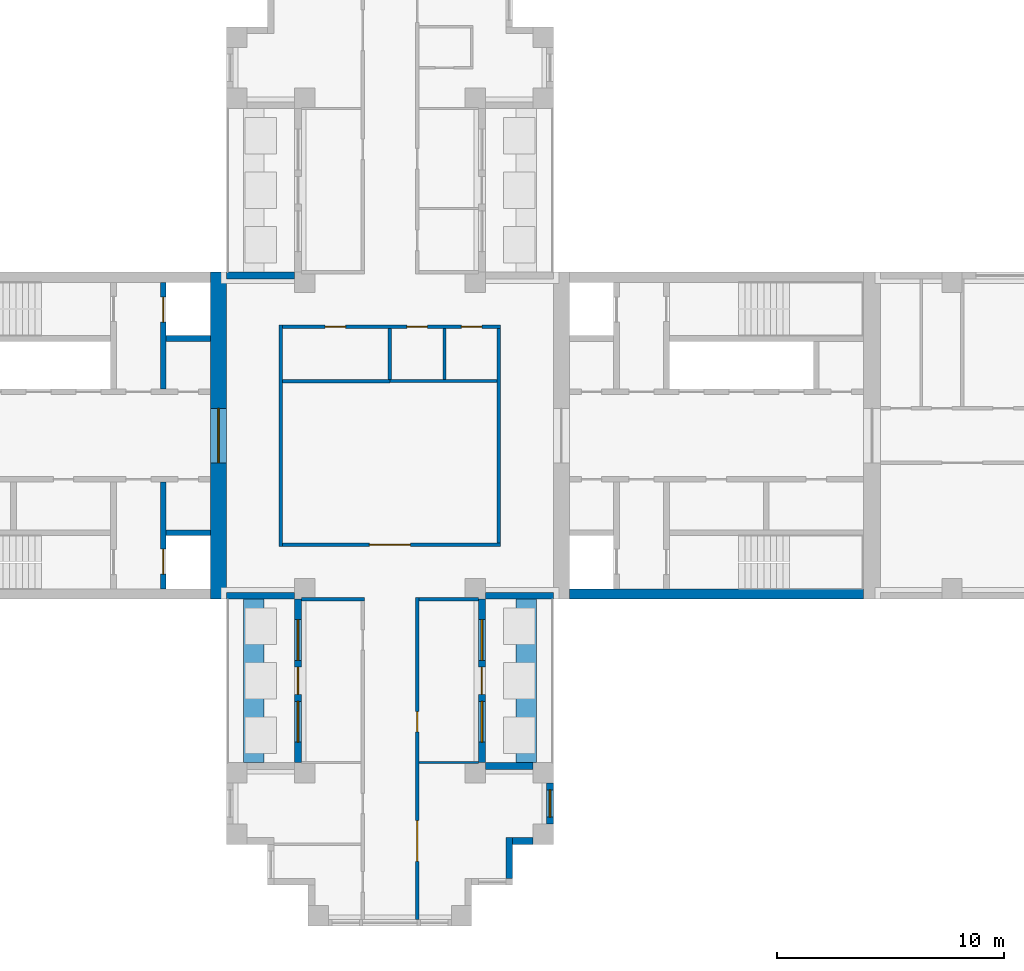
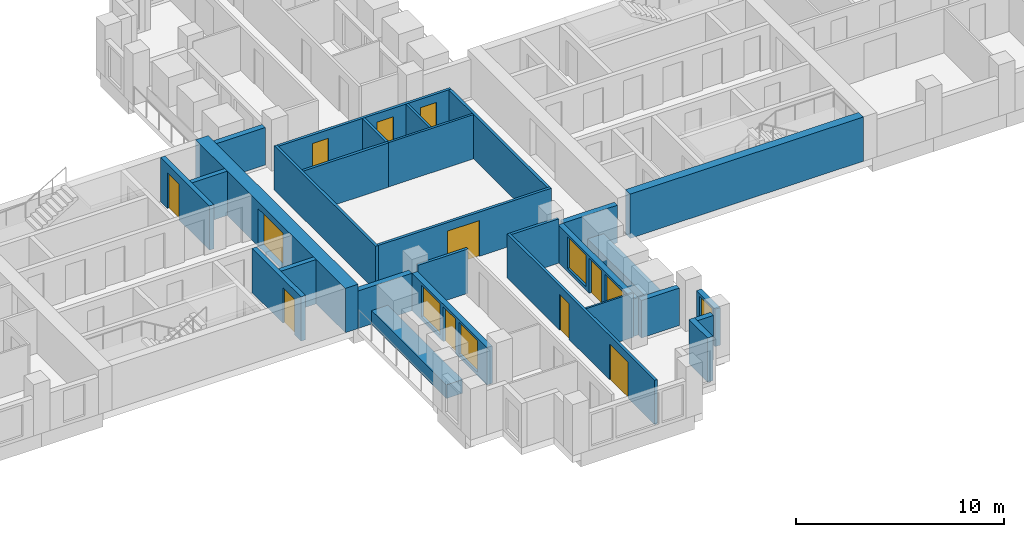
# One storey, part 5 of 11: 29 walls, 11 doors, 5 windows, 16 openings.
"""IFC4 building model written with IfcOpenShell, lengths in metres."""

import ifcopenshell
import ifcopenshell.guid

model = None  # the IFC model being written
_history = None  # IfcOwnerHistory: only IFC2X3 demands one
_inside = {}  # id of a spatial element -> (the spatial element, [elements in it])
_under = {}  # id of a project, library or spatial element -> (it, [spatial elements below it])
_declared = {}  # id of a project -> (the project, [libraries it declares])
_typed = {}  # id of a type object -> (the type object, [elements of that type])
_made_of = {}  # id of a material, layer set ... -> (it, [elements and type objects made of it])


def new_model(schema):
    """Start an empty IFC model of exactly this schema.

    Asked for "IFC4X3", IfcOpenShell would pick the latest addendum, in which some entities
    have other attributes; the version numbers below select the first issue.
    IFC2X3 requires an IfcOwnerHistory on every rooted entity: one is made here for all.
    """
    global model, _history
    if schema == "IFC4X3":
        model = ifcopenshell.file(schema_version=(4, 3, 0, 0))
    else:
        model = ifcopenshell.file(schema=schema)
    _inside.clear()
    _under.clear()
    _declared.clear()
    _typed.clear()
    _made_of.clear()
    _history = None
    if model.schema == "IFC2X3":
        org = make("IfcOrganization", Name="unknown")
        user = make(
            "IfcPersonAndOrganization",
            ThePerson=make("IfcPerson", FamilyName="unknown"),
            TheOrganization=org,
        )
        app = make(
            "IfcApplication",
            ApplicationDeveloper=org,
            Version="unknown",
            ApplicationFullName="unknown",
            ApplicationIdentifier="unknown",
        )
        _history = make(
            "IfcOwnerHistory",
            OwningUser=user,
            OwningApplication=app,
            ChangeAction="ADDED",
            CreationDate=0,
        )
    return model


def make(cls, **values):
    """One entity of the class cls with the attributes given. An attribute that is None is left unset."""
    return model.create_entity(
        cls, **{name: value for name, value in values.items() if value is not None}
    )


def rooted(cls, **values):
    """An entity with a GlobalId (a new one), such as an element, a storey or a relation."""
    return make(cls, GlobalId=ifcopenshell.guid.new(), OwnerHistory=_history, **values)


def si_unit(unit_type, name, prefix=None):
    """IfcSIUnit, for example si_unit("LENGTHUNIT", "METRE", prefix="MILLI")."""
    return make("IfcSIUnit", UnitType=unit_type, Prefix=prefix, Name=name)


def assignment(units):
    """IfcUnitAssignment: the units of a project."""
    return None if units is None else make("IfcUnitAssignment", Units=units)


def point(xyz):
    """IfcCartesianPoint."""
    return None if xyz is None else make("IfcCartesianPoint", Coordinates=xyz)


def direction(xyz):
    """IfcDirection."""
    return None if xyz is None else make("IfcDirection", DirectionRatios=xyz)


def frame(location, z_axis=None, x_axis=None):
    """IfcAxis2Placement3D, a coordinate frame: its origin and axes. An axis left out is left unset."""
    return make(
        "IfcAxis2Placement3D",
        Location=point(location),
        Axis=direction(z_axis),
        RefDirection=direction(x_axis),
    )


def frame_2d(location, x_axis=None):
    """IfcAxis2Placement2D, a coordinate frame in the plane: its origin and x axis."""
    return make(
        "IfcAxis2Placement2D", Location=point(location), RefDirection=direction(x_axis)
    )


def origin():
    """The frame at (0, 0, 0) with its axes left unset."""
    return frame((0.0, 0.0, 0.0))


def place(relative_to, where):
    """IfcLocalPlacement: puts the frame where relative to a parent placement (None: the world)."""
    return make(
        "IfcLocalPlacement", PlacementRelTo=relative_to, RelativePlacement=where
    )


def context(
    kind, dimensions, precision=None, world=None, true_north=None, identifier=None
):
    """IfcGeometricRepresentationContext, for example the 3D "Model" context."""
    return make(
        "IfcGeometricRepresentationContext",
        ContextIdentifier=identifier,
        ContextType=kind,
        CoordinateSpaceDimension=dimensions,
        Precision=precision,
        WorldCoordinateSystem=world,
        TrueNorth=true_north,
    )


def subcontext(parent, identifier, kind, view, scale=None):
    """IfcGeometricRepresentationSubContext, for example "Body" below "Model"."""
    return make(
        "IfcGeometricRepresentationSubContext",
        ContextIdentifier=identifier,
        ContextType=kind,
        ParentContext=parent,
        TargetScale=scale,
        TargetView=view,
    )


def project(units=None, contexts=None):
    """IfcProject with its units and contexts."""
    return rooted(
        "IfcProject",
        Name="project",
        RepresentationContexts=contexts,
        UnitsInContext=assignment(units),
    )


def spatial(cls, under=None, at=None, **own):
    """A site, building, storey or space (cls), placed at a placement, below another one or the project."""
    s = rooted(cls, ObjectPlacement=at, **own)
    if under is not None:
        _under.setdefault(under.id(), (under, []))[1].append(s)
    return s


def profile(cls, at=None, kind="AREA", **sizes):
    """A parametric profile (cls). Its sizes go by their IFC names, for example OverallWidth=200.0."""
    return make(cls, ProfileType=kind, Position=at, **sizes)


def rectangle(**sizes):
    """IfcRectangleProfileDef."""
    return profile("IfcRectangleProfileDef", **sizes)


def extrude(swept, where, along, depth):
    """IfcExtrudedAreaSolid: the profile swept, set in the frame where, extruded along a direction by depth."""
    return make(
        "IfcExtrudedAreaSolid",
        SweptArea=swept,
        Position=where,
        ExtrudedDirection=direction(along),
        Depth=depth,
    )


def shape(context_of_items, identifier, shape_type, items):
    """IfcShapeRepresentation: the items that make up one representation, for example the "Body"."""
    return make(
        "IfcShapeRepresentation",
        ContextOfItems=context_of_items,
        RepresentationIdentifier=identifier,
        RepresentationType=shape_type,
        Items=items,
    )


def material(Name=None, Category=None):
    """IfcMaterial."""
    return make("IfcMaterial", Name=Name, Category=Category)


def layer(
    of_material, thickness, ventilated=None, Name=None, Category=None, Priority=None
):
    """IfcMaterialLayer: one layer of a wall or slab, of a material (None: an air gap)."""
    return make(
        "IfcMaterialLayer",
        Material=of_material,
        LayerThickness=thickness,
        IsVentilated=ventilated,
        Name=Name,
        Category=Category,
        Priority=Priority,
    )


def layer_set(layers, Name=None):
    """IfcMaterialLayerSet."""
    return make("IfcMaterialLayerSet", MaterialLayers=layers, LayerSetName=Name)


def made_of(thing, what):
    """Note that an element or type object is made of a material, layer set ...; save() writes the relation."""
    if what is not None:
        _made_of.setdefault(what.id(), (what, []))[1].append(thing)
    return thing


def type_object(cls, material=None, **own):
    """A type object (cls), such as IfcWallType, which elements share."""
    return made_of(rooted(cls, **own), material)


def element(
    cls,
    number,
    at=None,
    inside=None,
    cuts=None,
    type_object=None,
    material=None,
    context=None,
    identifier="Body",
    shape_type=None,
    held_by="IfcProductDefinitionShape",
    body=None,
    shapes=None,
    **own,
):
    """One element of the class cls, such as IfcWall. Its Tag is "e" and its number.

    at: its placement. inside: the storey or other place that contains it. cuts: it is an
    opening in that element (IfcRelVoidsElement). A single representation is given by context,
    identifier, shape_type and body (its items); several are given by shapes. held_by: the class
    of the entity that holds the representations. save() writes the other relations.
    """
    e = rooted(cls, Tag="e%d" % number, ObjectPlacement=at, **own)
    if body is not None:
        shapes = [shape(context, identifier, shape_type, body)]
    if shapes is not None:
        e.Representation = make(held_by, Representations=shapes)
    if inside is not None:
        _inside.setdefault(inside.id(), (inside, []))[1].append(e)
    if cuts is not None:
        rooted(
            "IfcRelVoidsElement", RelatingBuildingElement=cuts, RelatedOpeningElement=e
        )
    if type_object is not None:
        _typed.setdefault(type_object.id(), (type_object, []))[1].append(e)
    return made_of(e, material)


def fill(opening, filler):
    """IfcRelFillsElement: the door or window that sits in an opening."""
    return rooted(
        "IfcRelFillsElement",
        RelatingOpeningElement=opening,
        RelatedBuildingElement=filler,
    )


def aggregate(whole, parts):
    """IfcRelAggregates: a whole, such as a stair, and the parts it consists of."""
    return rooted("IfcRelAggregates", RelatingObject=whole, RelatedObjects=parts)


def save(model, path):
    """Write the relations noted so far, then the file.

    IfcRelAggregates (storeys below a building ...), IfcRelContainedInSpatialStructure (elements
    in a storey), IfcRelDefinesByType, IfcRelAssociatesMaterial and IfcRelDeclares: one each for
    every whole, place, type object, material and project.
    """
    for whole, parts in _under.values():
        aggregate(whole, parts)
    for where, things in _inside.values():
        rooted(
            "IfcRelContainedInSpatialStructure",
            RelatedElements=things,
            RelatingStructure=where,
        )
    for kind, things in _typed.values():
        rooted("IfcRelDefinesByType", RelatedObjects=things, RelatingType=kind)
    for what, things in _made_of.values():
        rooted("IfcRelAssociatesMaterial", RelatedObjects=things, RelatingMaterial=what)
    for by, libraries in _declared.values():
        rooted("IfcRelDeclares", RelatingContext=by, RelatedDefinitions=libraries)
    model.write(path)


model = new_model("IFC4")

# Units and contexts
model_context = context("Model", 3, precision=1e-05, world=origin(), true_north=direction((0.0, 1.0)))
body_context = subcontext(model_context, "Body", "Model", "MODEL_VIEW")
ifc_project = project(units=[si_unit("LENGTHUNIT", "METRE"), si_unit("AREAUNIT", "SQUARE_METRE"), si_unit("VOLUMEUNIT", "CUBIC_METRE"), si_unit("PLANEANGLEUNIT", "RADIAN"), si_unit("MASSUNIT", "GRAM", prefix="KILO")], contexts=[model_context])

# Site, building, storey
site_placement = place(None, origin())
site = spatial("IfcSite", under=ifc_project, at=site_placement, CompositionType="ELEMENT")
building_placement = place(site_placement, origin())
building = spatial("IfcBuilding", under=site, at=building_placement, Name="Fustian Cross Tower", CompositionType="ELEMENT")
storey_placement = place(building_placement, frame((0.0, 0.0, 144.300048828125)))
storey = spatial("IfcBuildingStorey", under=building, at=storey_placement, Name="L45", CompositionType="ELEMENT", Elevation=144.300048828125)

# Wall
ifc_material_1 = material(Name="Plasterboard on steel stud", Category="steel")
ifc_layer_1 = layer(ifc_material_1, 0.14990234375)
ifc_layer_set_1 = layer_set([ifc_layer_1], Name="Plasterboard on steel stud")
wall_type_1 = type_object("IfcWallType", Name="COMPARTMENT WALL 150 EI 60", PredefinedType="PARTITIONING", material=ifc_layer_set_1)
wall_1_placement = place(storey_placement, frame((-4.800048828125, -4.875, 0.0), z_axis=(0.0, 0.0, 1.0), x_axis=(0.0, 1.0, 0.0)))
element("IfcWall", 1, at=wall_1_placement, inside=storey, type_object=wall_type_1, Name="Partition 12", PredefinedType="PARTITIONING", context=body_context, shape_type="SweptSolid", body=[
    extrude(rectangle(XDim=9.75, YDim=0.14990234375, at=frame_2d((4.875, 0.0))), origin(), (0.0, 0.0, 1.0), 2.599853515625),
])

# Wall, opening, door
wall_2_placement = place(storey_placement, frame((-4.72509765625, -4.800048828125, 0.0), z_axis=(0.0, 0.0, 1.0), x_axis=(1.0, 0.0, 0.0)))
wall_2 = element("IfcWall", 2, at=wall_2_placement, inside=storey, type_object=wall_type_1, Name="Partition 13", PredefinedType="PARTITIONING", context=body_context, shape_type="SweptSolid", body=[
    extrude(rectangle(XDim=9.60009765625, YDim=0.14990234375, at=frame_2d((4.800048828125, 0.0))), origin(), (0.0, 0.0, 1.0), 2.599853515625),
])
opening_1_placement = place(wall_2_placement, frame((3.824951171875, 0.0, 0.0)))
opening_1 = element("IfcOpeningElement", 3, at=opening_1_placement, cuts=wall_2, Name="Opening D20004", PredefinedType="OPENING", context=body_context, shape_type="SweptSolid", body=[
    extrude(rectangle(XDim=1.800048828125, YDim=2.10009765625, at=frame_2d((0.89990234375, 1.050048828125))), frame((0.0, 0.0849609375, 0.0), z_axis=(0.0, -1.0, 0.0), x_axis=(1.0, 0.0, 0.0)), (0.0, 0.0, 1.0), 0.169921875),
])
ifc_material_2 = material(Name="Timber fire door set", Category="wood")
door_type_1 = type_object("IfcDoorType", Name="FIRE DOUBLE DOOR 1800 FD30S", OperationType="DOUBLE_DOOR_DOUBLE_SWING", PredefinedType="DOOR", material=ifc_material_2)
door_1_placement = place(opening_1_placement, frame((1.800048828125, 0.0, 0.0), z_axis=(0.0, 0.0, 1.0), x_axis=(-1.0, 0.0, 0.0)))
door_1 = element("IfcDoor", 4, at=door_1_placement, inside=storey, type_object=door_type_1, Name="Door D20004", OperationType="DOUBLE_DOOR_DOUBLE_SWING", OverallHeight=2.10009765625, OverallWidth=1.800048828125, PredefinedType="DOOR", context=body_context, shape_type="SweptSolid", body=[
    extrude(rectangle(XDim=1.800048828125, YDim=2.10009765625, at=frame_2d((0.89990234375, 1.050048828125))), frame((0.0, 0.02490234375, 0.0), z_axis=(0.0, -1.0, 0.0), x_axis=(1.0, 0.0, 0.0)), (0.0, 0.0, 1.0), 0.050048828125),
])
fill(opening_1, door_1)

# Wall
wall_3_placement = place(storey_placement, frame((-4.72509765625, 2.39990234375, 0.0), z_axis=(0.0, 0.0, 1.0), x_axis=(1.0, 0.0, 0.0)))
element("IfcWall", 5, at=wall_3_placement, inside=storey, type_object=wall_type_1, Name="Partition 14", PredefinedType="PARTITIONING", context=body_context, shape_type="SweptSolid", body=[
    extrude(rectangle(XDim=4.72509765625, YDim=0.14990234375, at=frame_2d((2.362548828125, 0.0))), origin(), (0.0, 0.0, 1.0), 2.599853515625),
])

# Wall, openings, doors
wall_4_placement = place(storey_placement, frame((-4.72509765625, 4.800048828125, 0.0), z_axis=(0.0, 0.0, 1.0), x_axis=(1.0, 0.0, 0.0)))
wall_4 = element("IfcWall", 6, at=wall_4_placement, inside=storey, type_object=wall_type_1, Name="Partition 15", PredefinedType="PARTITIONING", context=body_context, shape_type="SweptSolid", body=[
    extrude(rectangle(XDim=9.60009765625, YDim=0.14990234375, at=frame_2d((4.800048828125, 0.0))), origin(), (0.0, 0.0, 1.0), 2.599853515625),
])
opening_2_placement = place(wall_4_placement, frame((7.875, 0.0, 0.0)))
opening_2 = element("IfcOpeningElement", 7, at=opening_2_placement, cuts=wall_4, Name="Opening D20001", PredefinedType="OPENING", context=body_context, shape_type="SweptSolid", body=[
    extrude(rectangle(XDim=0.89990234375, YDim=2.10009765625, at=frame_2d((0.449951171875, 1.050048828125))), frame((0.0, 0.0849609375, 0.0), z_axis=(0.0, -1.0, 0.0), x_axis=(1.0, 0.0, 0.0)), (0.0, 0.0, 1.0), 0.169921875),
])
opening_3_placement = place(wall_4_placement, frame((5.47509765625, 0.0, 0.0)))
opening_3 = element("IfcOpeningElement", 8, at=opening_3_placement, cuts=wall_4, Name="Opening D20002", PredefinedType="OPENING", context=body_context, shape_type="SweptSolid", body=[
    extrude(rectangle(XDim=0.89990234375, YDim=2.10009765625, at=frame_2d((0.449951171875, 1.050048828125))), frame((0.0, 0.0849609375, 0.0), z_axis=(0.0, -1.0, 0.0), x_axis=(1.0, 0.0, 0.0)), (0.0, 0.0, 1.0), 0.169921875),
])
opening_4_placement = place(wall_4_placement, frame((1.875, 0.0, 0.0)))
opening_4 = element("IfcOpeningElement", 9, at=opening_4_placement, cuts=wall_4, Name="Opening D20003", PredefinedType="OPENING", context=body_context, shape_type="SweptSolid", body=[
    extrude(rectangle(XDim=0.89990234375, YDim=2.10009765625, at=frame_2d((0.449951171875, 1.050048828125))), frame((0.0, 0.0849609375, 0.0), z_axis=(0.0, -1.0, 0.0), x_axis=(1.0, 0.0, 0.0)), (0.0, 0.0, 1.0), 0.169921875),
])
ifc_material_3 = material(Name="Timber fire door set", Category="wood")
door_type_2 = type_object("IfcDoorType", Name="FIRE SWING DOOR 900 FD30S", OperationType="SINGLE_SWING_LEFT", PredefinedType="DOOR", material=ifc_material_3)
door_2_placement = place(opening_2_placement, frame((0.89990234375, 0.0, 0.0), z_axis=(0.0, 0.0, 1.0), x_axis=(-1.0, 0.0, 0.0)))
door_2 = element("IfcDoor", 10, at=door_2_placement, inside=storey, type_object=door_type_2, Name="Door D20001", OperationType="SINGLE_SWING_RIGHT", OverallHeight=2.10009765625, OverallWidth=0.89990234375, PredefinedType="DOOR", context=body_context, shape_type="SweptSolid", body=[
    extrude(rectangle(XDim=0.89990234375, YDim=2.10009765625, at=frame_2d((0.449951171875, 1.050048828125))), frame((0.0, 0.02490234375, 0.0), z_axis=(0.0, -1.0, 0.0), x_axis=(1.0, 0.0, 0.0)), (0.0, 0.0, 1.0), 0.050048828125),
])
fill(opening_2, door_2)
door_3_placement = place(opening_3_placement, frame((0.89990234375, 0.0, 0.0), z_axis=(0.0, 0.0, 1.0), x_axis=(-1.0, 0.0, 0.0)))
door_3 = element("IfcDoor", 11, at=door_3_placement, inside=storey, type_object=door_type_2, Name="Door D20002", OperationType="SINGLE_SWING_RIGHT", OverallHeight=2.10009765625, OverallWidth=0.89990234375, PredefinedType="DOOR", context=body_context, shape_type="SweptSolid", body=[
    extrude(rectangle(XDim=0.89990234375, YDim=2.10009765625, at=frame_2d((0.449951171875, 1.050048828125))), frame((0.0, 0.02490234375, 0.0), z_axis=(0.0, -1.0, 0.0), x_axis=(1.0, 0.0, 0.0)), (0.0, 0.0, 1.0), 0.050048828125),
])
fill(opening_3, door_3)
door_4_placement = place(opening_4_placement, frame((0.89990234375, 0.0, 0.0), z_axis=(0.0, 0.0, 1.0), x_axis=(-1.0, 0.0, 0.0)))
door_4 = element("IfcDoor", 12, at=door_4_placement, inside=storey, type_object=door_type_2, Name="Door D20003", OperationType="SINGLE_SWING_RIGHT", OverallHeight=2.10009765625, OverallWidth=0.89990234375, PredefinedType="DOOR", context=body_context, shape_type="SweptSolid", body=[
    extrude(rectangle(XDim=0.89990234375, YDim=2.10009765625, at=frame_2d((0.449951171875, 1.050048828125))), frame((0.0, 0.02490234375, 0.0), z_axis=(0.0, -1.0, 0.0), x_axis=(1.0, 0.0, 0.0)), (0.0, 0.0, 1.0), 0.050048828125),
])
fill(opening_4, door_4)

# Walls
wall_5_placement = place(storey_placement, frame((-3.89990234375, -7.199951171875, 0.0), z_axis=(0.0, 0.0, 1.0), x_axis=(1.0, 0.0, 0.0)))
element("IfcWall", 13, at=wall_5_placement, inside=storey, type_object=wall_type_1, Name="Partition 17", PredefinedType="PARTITIONING", context=body_context, shape_type="SweptSolid", body=[
    extrude(rectangle(XDim=2.77490234375, YDim=0.14990234375, at=frame_2d((1.387451171875, 0.0))), origin(), (0.0, 0.0, 1.0), 2.599853515625),
])
wall_6_placement = place(storey_placement, frame((0.0, 2.47509765625, 0.0), z_axis=(0.0, 0.0, 1.0), x_axis=(0.0, 1.0, 0.0)))
element("IfcWall", 14, at=wall_6_placement, inside=storey, type_object=wall_type_1, Name="Partition 22", PredefinedType="PARTITIONING", context=body_context, shape_type="SweptSolid", body=[
    extrude(rectangle(XDim=2.25, YDim=0.14990234375, at=frame_2d((1.125, 0.0))), origin(), (0.0, 0.0, 1.0), 2.599853515625),
])

# Wall, openings, doors
wall_7_placement = place(storey_placement, frame((1.199951171875, -21.300048828125, 0.0), z_axis=(0.0, 0.0, 1.0), x_axis=(0.0, 1.0, 0.0)))
wall_7 = element("IfcWall", 15, at=wall_7_placement, inside=storey, type_object=wall_type_1, Name="Partition 24", PredefinedType="PARTITIONING", context=body_context, shape_type="SweptSolid", body=[
    extrude(rectangle(XDim=14.175048828125, YDim=0.14990234375, at=frame_2d((7.08740234375, 0.0))), origin(), (0.0, 0.0, 1.0), 2.599853515625),
])
opening_5_placement = place(wall_7_placement, frame((8.25, 0.0, 0.0)))
opening_5 = element("IfcOpeningElement", 16, at=opening_5_placement, cuts=wall_7, Name="Opening D20028", PredefinedType="OPENING", context=body_context, shape_type="SweptSolid", body=[
    extrude(rectangle(XDim=0.89990234375, YDim=2.10009765625, at=frame_2d((0.449951171875, 1.050048828125))), frame((0.0, 0.0849609375, 0.0), z_axis=(0.0, -1.0, 0.0), x_axis=(1.0, 0.0, 0.0)), (0.0, 0.0, 1.0), 0.169921875),
])
opening_6_placement = place(wall_7_placement, frame((2.550048828125, 0.0, 0.0)))
opening_6 = element("IfcOpeningElement", 17, at=opening_6_placement, cuts=wall_7, Name="Opening D20029", PredefinedType="OPENING", context=body_context, shape_type="SweptSolid", body=[
    extrude(rectangle(XDim=1.800048828125, YDim=2.10009765625, at=frame_2d((0.89990234375, 1.050048828125))), frame((0.0, 0.0849609375, 0.0), z_axis=(0.0, -1.0, 0.0), x_axis=(1.0, 0.0, 0.0)), (0.0, 0.0, 1.0), 0.169921875),
])
door_5_placement = place(opening_6_placement, origin())
door_5 = element("IfcDoor", 18, at=door_5_placement, inside=storey, type_object=door_type_1, Name="Door D20029", OperationType="DOUBLE_DOOR_DOUBLE_SWING", OverallHeight=2.10009765625, OverallWidth=1.800048828125, PredefinedType="DOOR", context=body_context, shape_type="SweptSolid", body=[
    extrude(rectangle(XDim=1.800048828125, YDim=2.10009765625, at=frame_2d((0.89990234375, 1.050048828125))), frame((0.0, 0.02490234375, 0.0), z_axis=(0.0, -1.0, 0.0), x_axis=(1.0, 0.0, 0.0)), (0.0, 0.0, 1.0), 0.050048828125),
])
fill(opening_6, door_5)
door_6_placement = place(opening_5_placement, frame((0.89990234375, 0.0, 0.0), z_axis=(0.0, 0.0, 1.0), x_axis=(-1.0, 0.0, 0.0)))
door_6 = element("IfcDoor", 19, at=door_6_placement, inside=storey, type_object=door_type_2, Name="Door D20028", OperationType="SINGLE_SWING_RIGHT", OverallHeight=2.10009765625, OverallWidth=0.89990234375, PredefinedType="DOOR", context=body_context, shape_type="SweptSolid", body=[
    extrude(rectangle(XDim=0.89990234375, YDim=2.10009765625, at=frame_2d((0.449951171875, 1.050048828125))), frame((0.0, 0.02490234375, 0.0), z_axis=(0.0, -1.0, 0.0), x_axis=(1.0, 0.0, 0.0)), (0.0, 0.0, 1.0), 0.050048828125),
])
fill(opening_5, door_6)

# Walls
wall_8_placement = place(storey_placement, frame((1.27490234375, -7.199951171875, 0.0), z_axis=(0.0, 0.0, 1.0), x_axis=(1.0, 0.0, 0.0)))
element("IfcWall", 20, at=wall_8_placement, inside=storey, type_object=wall_type_1, Name="Partition 26", PredefinedType="PARTITIONING", context=body_context, shape_type="SweptSolid", body=[
    extrude(rectangle(XDim=2.625, YDim=0.14990234375, at=frame_2d((1.3125, 0.0))), origin(), (0.0, 0.0, 1.0), 2.599853515625),
])
wall_9_placement = place(storey_placement, frame((4.800048828125, -4.72509765625, 0.0), z_axis=(0.0, 0.0, 1.0), x_axis=(0.0, 1.0, 0.0)))
element("IfcWall", 21, at=wall_9_placement, inside=storey, type_object=wall_type_1, Name="Partition 35", PredefinedType="PARTITIONING", context=body_context, shape_type="SweptSolid", body=[
    extrude(rectangle(XDim=9.4501953125, YDim=0.14990234375, at=frame_2d((4.72509765625, 0.0))), origin(), (0.0, 0.0, 1.0), 2.599853515625),
])

# Wall, opening, door
ifc_material_4 = material(Name="Concrete C60/75", Category="concrete")
ifc_layer_2 = layer(ifc_material_4, 0.699951171875)
ifc_layer_set_2 = layer_set([ifc_layer_2], Name="Concrete C60/75")
wall_type_2 = type_object("IfcWallType", Name="CORE END WALL 700 C60/75", PredefinedType="SHEAR", material=ifc_layer_set_2)
wall_10_placement = place(storey_placement, frame((-7.550048828125, -7.199951171875, 0.0), z_axis=(0.0, 0.0, 1.0), x_axis=(0.0, 1.0, 0.0)))
wall_10 = element("IfcWall", 22, at=wall_10_placement, inside=storey, type_object=wall_type_2, Name="Core end wall", PredefinedType="SHEAR", context=body_context, shape_type="SweptSolid", body=[
    extrude(rectangle(XDim=14.39990234375, YDim=0.699951171875, at=frame_2d((7.199951171875, 0.0))), origin(), (0.0, 0.0, 1.0), 2.599853515625),
])
opening_7_placement = place(wall_10_placement, frame((6.0, 0.0, 0.0)))
opening_7 = element("IfcOpeningElement", 23, at=opening_7_placement, cuts=wall_10, Name="Opening CD-18-28", PredefinedType="OPENING", context=body_context, shape_type="SweptSolid", body=[
    extrude(rectangle(XDim=2.39990234375, YDim=2.199951171875, at=frame_2d((1.199951171875, 1.10009765625))), frame((0.0, 0.35986328125, 0.0), z_axis=(0.0, -1.0, 0.0), x_axis=(1.0, 0.0, 0.0)), (0.0, 0.0, 1.0), 0.719970703125),
])
ifc_material_5 = material(Name="Steel", Category="steel")
door_type_3 = type_object("IfcDoorType", Name="FIRE DOOR FD30S DOUBLE 2400X2200", OperationType="DOUBLE_DOOR_DOUBLE_SWING", PredefinedType="DOOR", material=ifc_material_5)
door_7_placement = place(opening_7_placement, origin())
door_7 = element("IfcDoor", 24, at=door_7_placement, inside=storey, type_object=door_type_3, Name="Core door CD-18-28", OperationType="DOUBLE_DOOR_DOUBLE_SWING", OverallHeight=2.199951171875, OverallWidth=2.39990234375, PredefinedType="DOOR", context=body_context, shape_type="SweptSolid", body=[
    extrude(rectangle(XDim=2.39990234375, YDim=2.199951171875, at=frame_2d((1.199951171875, 1.10009765625))), frame((0.0, 0.02490234375, 0.0), z_axis=(0.0, -1.0, 0.0), x_axis=(1.0, 0.0, 0.0)), (0.0, 0.0, 1.0), 0.050048828125),
])
fill(opening_7, door_7)

# Walls
ifc_material_6 = material(Name="Concrete C60/75", Category="concrete")
ifc_layer_3 = layer(ifc_material_6, 0.449951171875)
ifc_layer_set_3 = layer_set([ifc_layer_3], Name="Concrete C60/75")
wall_type_3 = type_object("IfcWallType", Name="CORE FACADE WALL 450 C60/75", PredefinedType="SHEAR", material=ifc_layer_set_3)
wall_11_placement = place(storey_placement, frame((7.89990234375, -6.97509765625, 0.0), z_axis=(0.0, 0.0, 1.0), x_axis=(1.0, 0.0, 0.0)))
element("IfcWall", 25, at=wall_11_placement, inside=storey, type_object=wall_type_3, Name="Core facade wall", PredefinedType="SHEAR", context=body_context, shape_type="SweptSolid", body=[
    extrude(rectangle(XDim=12.9501953125, YDim=0.449951171875, at=frame_2d((6.47509765625, 0.0))), origin(), (0.0, 0.0, 1.0), 2.599853515625),
])
ifc_material_7 = material(Name="Concrete C50/60", Category="concrete")
ifc_layer_4 = layer(ifc_material_7, 0.25)
ifc_layer_set_4 = layer_set([ifc_layer_4], Name="Concrete C50/60")
wall_type_4 = type_object("IfcWallType", Name="CORE SHAFT WALL 250 C50/60", PredefinedType="SHEAR", material=ifc_layer_set_4)
wall_12_placement = place(storey_placement, frame((-7.89990234375, 4.27490234375, 0.0), z_axis=(0.0, 0.0, 1.0), x_axis=(-1.0, 0.0, 0.0)))
element("IfcWall", 26, at=wall_12_placement, inside=storey, type_object=wall_type_4, Name="Core shaft wall", PredefinedType="SHEAR", context=body_context, shape_type="SweptSolid", body=[
    extrude(rectangle(XDim=1.9501953125, YDim=0.25, at=frame_2d((0.97509765625, 0.0))), origin(), (0.0, 0.0, 1.0), 2.599853515625),
])

# Wall, opening, door
wall_13_placement = place(storey_placement, frame((-9.97509765625, 2.050048828125, 0.0), z_axis=(0.0, 0.0, 1.0), x_axis=(0.0, 1.0, 0.0)))
wall_13 = element("IfcWall", 27, at=wall_13_placement, inside=storey, type_object=wall_type_4, Name="Core shaft wall", PredefinedType="SHEAR", context=body_context, shape_type="SweptSolid", body=[
    extrude(rectangle(XDim=4.699951171875, YDim=0.25, at=frame_2d((2.35009765625, 0.0))), origin(), (0.0, 0.0, 1.0), 2.599853515625),
])
opening_8_placement = place(wall_13_placement, frame((2.949951171875, 0.0, 0.0)))
opening_8 = element("IfcOpeningElement", 28, at=opening_8_placement, cuts=wall_13, Name="Opening LD", PredefinedType="OPENING", context=body_context, shape_type="SweptSolid", body=[
    extrude(rectangle(XDim=1.10009765625, YDim=2.10009765625, at=frame_2d((0.550048828125, 1.050048828125))), frame((0.0, 0.135009765625, 0.0), z_axis=(0.0, -1.0, 0.0), x_axis=(1.0, 0.0, 0.0)), (0.0, 0.0, 1.0), 0.27001953125),
])
ifc_material_8 = material(Name="Stainless steel", Category="steel")
door_type_4 = type_object("IfcDoorType", Name="LIFT LANDING DOOR 1100X2100", OperationType="SLIDING_TO_LEFT", PredefinedType="DOOR", material=ifc_material_8)
door_8_placement = place(opening_8_placement, origin())
door_8 = element("IfcDoor", 29, at=door_8_placement, inside=storey, type_object=door_type_4, Name="Landing door FL1W", OperationType="SLIDING_TO_LEFT", OverallHeight=2.10009765625, OverallWidth=1.10009765625, PredefinedType="DOOR", context=body_context, shape_type="SweptSolid", body=[
    extrude(rectangle(XDim=1.10009765625, YDim=2.10009765625, at=frame_2d((0.550048828125, 1.050048828125))), frame((0.0, 0.02490234375, 0.0), z_axis=(0.0, -1.0, 0.0), x_axis=(1.0, 0.0, 0.0)), (0.0, 0.0, 1.0), 0.050048828125),
])
fill(opening_8, door_8)

# Wall
wall_14_placement = place(storey_placement, frame((-7.89990234375, -4.27490234375, 0.0), z_axis=(0.0, 0.0, 1.0), x_axis=(-1.0, 0.0, 0.0)))
element("IfcWall", 30, at=wall_14_placement, inside=storey, type_object=wall_type_4, Name="Core shaft wall", PredefinedType="SHEAR", context=body_context, shape_type="SweptSolid", body=[
    extrude(rectangle(XDim=1.9501953125, YDim=0.25, at=frame_2d((0.97509765625, 0.0))), origin(), (0.0, 0.0, 1.0), 2.599853515625),
])

# Wall, opening, door
wall_15_placement = place(storey_placement, frame((-9.97509765625, -2.050048828125, 0.0), z_axis=(0.0, 0.0, 1.0), x_axis=(0.0, -1.0, 0.0)))
wall_15 = element("IfcWall", 31, at=wall_15_placement, inside=storey, type_object=wall_type_4, Name="Core shaft wall", PredefinedType="SHEAR", context=body_context, shape_type="SweptSolid", body=[
    extrude(rectangle(XDim=4.699951171875, YDim=0.25, at=frame_2d((2.35009765625, 0.0))), origin(), (0.0, 0.0, 1.0), 2.599853515625),
])
opening_9_placement = place(wall_15_placement, frame((2.949951171875, 0.0, 0.0)))
opening_9 = element("IfcOpeningElement", 32, at=opening_9_placement, cuts=wall_15, Name="Opening LD", PredefinedType="OPENING", context=body_context, shape_type="SweptSolid", body=[
    extrude(rectangle(XDim=1.10009765625, YDim=2.10009765625, at=frame_2d((0.550048828125, 1.050048828125))), frame((0.0, 0.135009765625, 0.0), z_axis=(0.0, -1.0, 0.0), x_axis=(1.0, 0.0, 0.0)), (0.0, 0.0, 1.0), 0.27001953125),
])
door_9_placement = place(opening_9_placement, origin())
door_9 = element("IfcDoor", 33, at=door_9_placement, inside=storey, type_object=door_type_4, Name="Landing door SV1W", OperationType="SLIDING_TO_LEFT", OverallHeight=2.10009765625, OverallWidth=1.10009765625, PredefinedType="DOOR", context=body_context, shape_type="SweptSolid", body=[
    extrude(rectangle(XDim=1.10009765625, YDim=2.10009765625, at=frame_2d((0.550048828125, 1.050048828125))), frame((0.0, 0.02490234375, 0.0), z_axis=(0.0, -1.0, 0.0), x_axis=(1.0, 0.0, 0.0)), (0.0, 0.0, 1.0), 0.050048828125),
])
fill(opening_9, door_9)

# Walls
ifc_material_9 = material(Name="Plasterboard on steel stud", Category="steel")
ifc_layer_5 = layer(ifc_material_9, 0.10009765625)
ifc_layer_set_5 = layer_set([ifc_layer_5], Name="Plasterboard on steel stud")
wall_type_5 = type_object("IfcWallType", Name="PARTITION 100 STUD", PredefinedType="PARTITIONING", material=ifc_layer_set_5)
wall_16_placement = place(storey_placement, frame((1.27490234375, -14.39990234375, 0.0), z_axis=(0.0, 0.0, 1.0), x_axis=(1.0, 0.0, 0.0)))
element("IfcWall", 34, at=wall_16_placement, inside=storey, type_object=wall_type_5, Name="Partition 25", PredefinedType="PARTITIONING", context=body_context, shape_type="SweptSolid", body=[
    extrude(rectangle(XDim=2.625, YDim=0.10009765625, at=frame_2d((1.3125, 0.0))), origin(), (0.0, 0.0, 1.0), 2.599853515625),
])
ifc_material_10 = material(Name="Concrete C40/50", Category="concrete")
ifc_layer_6 = layer(ifc_material_10, 0.89990234375)
ifc_layer_set_6 = layer_set([ifc_layer_6], Name="Concrete C40/50")
wall_type_6 = type_object("IfcWallType", Name="PK1 PLANTER 900", PredefinedType="PARAPET", material=ifc_layer_set_6)
for number, where, z_axis, x_axis, name in (
    (35, (6.0, -14.39990234375, 0.0), (0.0, 0.0, 1.0), (0.0, 1.0, 0.0), "PLANTER"),
    (36, (-6.0, -14.39990234375, 0.0), (0.0, 0.0, 1.0), (0.0, 1.0, 0.0), "PLANTER"),
):
    element("IfcWall", number, at=place(storey_placement, frame(where, z_axis=z_axis, x_axis=x_axis)), inside=storey, type_object=wall_type_6, Name=name, PredefinedType="PARAPET", context=body_context, shape_type="SweptSolid", body=[
        extrude(rectangle(XDim=7.199951171875, YDim=0.89990234375, at=frame_2d((3.60009765625, 0.0))), origin(), (0.0, 0.0, 1.0), 0.800048828125),
    ])
ifc_material_11 = material(Name="Plasterboard on steel stud", Category="steel")
ifc_layer_7 = layer(ifc_material_11, 0.125)
ifc_layer_set_7 = layer_set([ifc_layer_7], Name="Plasterboard on steel stud")
wall_type_7 = type_object("IfcWallType", Name="WET WALL 125 STUD", PredefinedType="PARTITIONING", material=ifc_layer_set_7)
wall_17_placement = place(storey_placement, frame((0.0, 2.39990234375, 0.0), z_axis=(0.0, 0.0, 1.0), x_axis=(1.0, 0.0, 0.0)))
element("IfcWall", 37, at=wall_17_placement, inside=storey, type_object=wall_type_7, Name="Partition 23", PredefinedType="PARTITIONING", context=body_context, shape_type="SweptSolid", body=[
    extrude(rectangle(XDim=4.72509765625, YDim=0.125, at=frame_2d((2.362548828125, 0.0))), origin(), (0.0, 0.0, 1.0), 2.599853515625),
])
wall_18_placement = place(storey_placement, frame((2.39990234375, 2.46240234375, 0.0), z_axis=(0.0, 0.0, 1.0), x_axis=(0.0, 1.0, 0.0)))
element("IfcWall", 38, at=wall_18_placement, inside=storey, type_object=wall_type_7, Name="Partition 33", PredefinedType="PARTITIONING", context=body_context, shape_type="SweptSolid", body=[
    extrude(rectangle(XDim=2.2626953125, YDim=0.125, at=frame_2d((1.13134765625, 0.0))), origin(), (0.0, 0.0, 1.0), 2.599853515625),
])
ifc_material_12 = material(Name="Dark aluminium cladding on insulated backing wall", Category="aluminium")
ifc_layer_8 = layer(ifc_material_12, 0.300048828125)
ifc_layer_set_8 = layer_set([ifc_layer_8], Name="Dark aluminium cladding on insulated backing wall")
wall_type_8 = type_object("IfcWallType", Name="XW1 EXTERNAL WALL 300", PredefinedType="SOLIDWALL", material=ifc_layer_set_8)
for number, where, z_axis, x_axis, name in (
    (39, (-4.199951171875, 7.050048828125, 0.0), (0.0, 0.0, 1.0), (-1.0, 0.0, 0.0), "External wall"),
    (40, (-7.199951171875, -7.050048828125, 0.0), (0.0, 0.0, 1.0), (1.0, 0.0, 0.0), "External wall"),
):
    element("IfcWall", number, at=place(storey_placement, frame(where, z_axis=z_axis, x_axis=x_axis)), inside=storey, type_object=wall_type_8, Name=name, PredefinedType="SOLIDWALL", context=body_context, shape_type="SweptSolid", body=[
        extrude(rectangle(XDim=3.0, YDim=0.300048828125, at=frame_2d((1.5, 0.0))), origin(), (0.0, 0.0, 1.0), 2.199951171875),
    ])

# Wall, openings, door, windows
wall_19_placement = place(storey_placement, frame((-4.050048828125, -7.199951171875, 0.0), z_axis=(0.0, 0.0, 1.0), x_axis=(0.0, -1.0, 0.0)))
wall_19 = element("IfcWall", 41, at=wall_19_placement, inside=storey, type_object=wall_type_8, Name="External wall", PredefinedType="SOLIDWALL", context=body_context, shape_type="SweptSolid", body=[
    extrude(rectangle(XDim=7.199951171875, YDim=0.300048828125, at=frame_2d((3.60009765625, 0.0))), origin(), (0.0, 0.0, 1.0), 2.199951171875),
])
opening_10_placement = place(wall_19_placement, frame((3.0, 0.0, 0.0)))
opening_10 = element("IfcOpeningElement", 42, at=opening_10_placement, cuts=wall_19, Name="Opening XD4", PredefinedType="OPENING", context=body_context, shape_type="SweptSolid", body=[
    extrude(rectangle(XDim=1.199951171875, YDim=2.050048828125, at=frame_2d((0.60009765625, 1.02490234375))), frame((0.0, 0.159912109375, 0.0), z_axis=(0.0, -1.0, 0.0), x_axis=(1.0, 0.0, 0.0)), (0.0, 0.0, 1.0), 0.320068359375),
])
opening_11_placement = place(wall_19_placement, frame((0.89990234375, 0.0, 0.199951171875)))
opening_11 = element("IfcOpeningElement", 43, at=opening_11_placement, cuts=wall_19, Name="Opening WN2", PredefinedType="OPENING", context=body_context, shape_type="SweptSolid", body=[
    extrude(rectangle(XDim=1.800048828125, YDim=1.85009765625, at=frame_2d((0.89990234375, 0.925048828125))), frame((0.0, 0.159912109375, 0.0), z_axis=(0.0, -1.0, 0.0), x_axis=(1.0, 0.0, 0.0)), (0.0, 0.0, 1.0), 0.320068359375),
])
opening_12_placement = place(wall_19_placement, frame((4.5, 0.0, 0.199951171875)))
opening_12 = element("IfcOpeningElement", 44, at=opening_12_placement, cuts=wall_19, Name="Opening WN2", PredefinedType="OPENING", context=body_context, shape_type="SweptSolid", body=[
    extrude(rectangle(XDim=1.800048828125, YDim=1.85009765625, at=frame_2d((0.89990234375, 0.925048828125))), frame((0.0, 0.159912109375, 0.0), z_axis=(0.0, -1.0, 0.0), x_axis=(1.0, 0.0, 0.0)), (0.0, 0.0, 1.0), 0.320068359375),
])
ifc_material_13 = material(Name="Dark anodised aluminium and double glazing", Category="aluminium")
door_type_5 = type_object("IfcDoorType", Name="ED1 BALCONY DOOR 1200X2050", OperationType="SINGLE_SWING_LEFT", PredefinedType="DOOR", material=ifc_material_13)
door_10_placement = place(opening_10_placement, origin())
door_10 = element("IfcDoor", 45, at=door_10_placement, inside=storey, type_object=door_type_5, Name="Balcony door", OperationType="SINGLE_SWING_LEFT", OverallHeight=2.050048828125, OverallWidth=1.199951171875, PredefinedType="DOOR", context=body_context, shape_type="SweptSolid", body=[
    extrude(rectangle(XDim=1.199951171875, YDim=2.050048828125, at=frame_2d((0.60009765625, 1.02490234375))), frame((0.0, 0.02490234375, 0.0), z_axis=(0.0, -1.0, 0.0), x_axis=(1.0, 0.0, 0.0)), (0.0, 0.0, 1.0), 0.050048828125),
])
fill(opening_10, door_10)
ifc_material_14 = material(Name="Dark anodised aluminium and double glazing", Category="aluminium")
window_type_1 = type_object("IfcWindowType", Name="WN2 WINDOW 1800X1850", PartitioningType="SINGLE_PANEL", PredefinedType="WINDOW", material=ifc_material_14)
window_1_placement = place(opening_11_placement, origin())
window_1 = element("IfcWindow", 46, at=window_1_placement, inside=storey, type_object=window_type_1, Name="Window", OverallHeight=1.85009765625, OverallWidth=1.800048828125, PartitioningType="SINGLE_PANEL", PredefinedType="WINDOW", context=body_context, shape_type="SweptSolid", body=[
    extrude(rectangle(XDim=1.800048828125, YDim=1.85009765625, at=frame_2d((0.89990234375, 0.925048828125))), frame((0.0, 0.030029296875, 0.0), z_axis=(0.0, -1.0, 0.0), x_axis=(1.0, 0.0, 0.0)), (0.0, 0.0, 1.0), 0.06005859375),
])
fill(opening_11, window_1)
window_2_placement = place(opening_12_placement, origin())
window_2 = element("IfcWindow", 47, at=window_2_placement, inside=storey, type_object=window_type_1, Name="Window", OverallHeight=1.85009765625, OverallWidth=1.800048828125, PartitioningType="SINGLE_PANEL", PredefinedType="WINDOW", context=body_context, shape_type="SweptSolid", body=[
    extrude(rectangle(XDim=1.800048828125, YDim=1.85009765625, at=frame_2d((0.89990234375, 0.925048828125))), frame((0.0, 0.030029296875, 0.0), z_axis=(0.0, -1.0, 0.0), x_axis=(1.0, 0.0, 0.0)), (0.0, 0.0, 1.0), 0.06005859375),
])
fill(opening_12, window_2)

# Walls
wall_20_placement = place(storey_placement, frame((5.25, -19.5, 0.0), z_axis=(0.0, 0.0, 1.0), x_axis=(0.0, 1.0, 0.0)))
element("IfcWall", 48, at=wall_20_placement, inside=storey, type_object=wall_type_8, Name="External wall", PredefinedType="SOLIDWALL", context=body_context, shape_type="SweptSolid", body=[
    extrude(rectangle(XDim=1.800048828125, YDim=0.300048828125, at=frame_2d((0.89990234375, 0.0))), origin(), (0.0, 0.0, 1.0), 2.599853515625),
])
wall_21_placement = place(storey_placement, frame((5.39990234375, -17.85009765625, 0.0), z_axis=(0.0, 0.0, 1.0), x_axis=(1.0, 0.0, 0.0)))
element("IfcWall", 49, at=wall_21_placement, inside=storey, type_object=wall_type_8, Name="External wall", PredefinedType="SOLIDWALL", context=body_context, shape_type="SweptSolid", body=[
    extrude(rectangle(XDim=0.900146484375, YDim=0.300048828125, at=frame_2d((0.4501953125, 0.0))), origin(), (0.0, 0.0, 1.0), 2.599853515625),
])

# Wall, opening, window
wall_22_placement = place(storey_placement, frame((7.050048828125, -17.10009765625, 0.0), z_axis=(0.0, 0.0, 1.0), x_axis=(0.0, 1.0, 0.0)))
wall_22 = element("IfcWall", 50, at=wall_22_placement, inside=storey, type_object=wall_type_8, Name="External wall", PredefinedType="SOLIDWALL", context=body_context, shape_type="SweptSolid", body=[
    extrude(rectangle(XDim=1.800048828125, YDim=0.300048828125, at=frame_2d((0.89990234375, 0.0))), origin(), (0.0, 0.0, 1.0), 2.199951171875),
])
opening_13_placement = place(wall_22_placement, frame((0.300048828125, 0.0, 0.199951171875)))
opening_13 = element("IfcOpeningElement", 51, at=opening_13_placement, cuts=wall_22, Name="Opening WN3", PredefinedType="OPENING", context=body_context, shape_type="SweptSolid", body=[
    extrude(rectangle(XDim=1.199951171875, YDim=1.85009765625, at=frame_2d((0.60009765625, 0.925048828125))), frame((0.0, 0.159912109375, 0.0), z_axis=(0.0, -1.0, 0.0), x_axis=(1.0, 0.0, 0.0)), (0.0, 0.0, 1.0), 0.320068359375),
])
ifc_material_15 = material(Name="Dark anodised aluminium and double glazing", Category="aluminium")
window_type_2 = type_object("IfcWindowType", Name="WN3 WINDOW 1200X1850", PartitioningType="SINGLE_PANEL", PredefinedType="WINDOW", material=ifc_material_15)
window_3_placement = place(opening_13_placement, origin())
window_3 = element("IfcWindow", 52, at=window_3_placement, inside=storey, type_object=window_type_2, Name="Window", OverallHeight=1.85009765625, OverallWidth=1.199951171875, PartitioningType="SINGLE_PANEL", PredefinedType="WINDOW", context=body_context, shape_type="SweptSolid", body=[
    extrude(rectangle(XDim=1.199951171875, YDim=1.85009765625, at=frame_2d((0.60009765625, 0.925048828125))), frame((0.0, 0.030029296875, 0.0), z_axis=(0.0, -1.0, 0.0), x_axis=(1.0, 0.0, 0.0)), (0.0, 0.0, 1.0), 0.06005859375),
])
fill(opening_13, window_3)

# Wall
wall_23_placement = place(storey_placement, frame((6.300048828125, -14.550048828125, 0.0), z_axis=(0.0, 0.0, 1.0), x_axis=(-1.0, 0.0, 0.0)))
element("IfcWall", 53, at=wall_23_placement, inside=storey, type_object=wall_type_8, Name="External wall", PredefinedType="SOLIDWALL", context=body_context, shape_type="SweptSolid", body=[
    extrude(rectangle(XDim=2.10009765625, YDim=0.300048828125, at=frame_2d((1.050048828125, 0.0))), origin(), (0.0, 0.0, 1.0), 2.199951171875),
])

# Wall, openings, door, windows
wall_24_placement = place(storey_placement, frame((4.050048828125, -14.39990234375, 0.0), z_axis=(0.0, 0.0, 1.0), x_axis=(0.0, 1.0, 0.0)))
wall_24 = element("IfcWall", 54, at=wall_24_placement, inside=storey, type_object=wall_type_8, Name="External wall", PredefinedType="SOLIDWALL", context=body_context, shape_type="SweptSolid", body=[
    extrude(rectangle(XDim=7.199951171875, YDim=0.300048828125, at=frame_2d((3.60009765625, 0.0))), origin(), (0.0, 0.0, 1.0), 2.199951171875),
])
opening_14_placement = place(wall_24_placement, frame((3.0, 0.0, 0.0)))
opening_14 = element("IfcOpeningElement", 55, at=opening_14_placement, cuts=wall_24, Name="Opening XD3", PredefinedType="OPENING", context=body_context, shape_type="SweptSolid", body=[
    extrude(rectangle(XDim=1.199951171875, YDim=2.050048828125, at=frame_2d((0.60009765625, 1.02490234375))), frame((0.0, 0.159912109375, 0.0), z_axis=(0.0, -1.0, 0.0), x_axis=(1.0, 0.0, 0.0)), (0.0, 0.0, 1.0), 0.320068359375),
])
opening_15_placement = place(wall_24_placement, frame((0.89990234375, 0.0, 0.199951171875)))
opening_15 = element("IfcOpeningElement", 56, at=opening_15_placement, cuts=wall_24, Name="Opening WN2", PredefinedType="OPENING", context=body_context, shape_type="SweptSolid", body=[
    extrude(rectangle(XDim=1.800048828125, YDim=1.85009765625, at=frame_2d((0.89990234375, 0.925048828125))), frame((0.0, 0.159912109375, 0.0), z_axis=(0.0, -1.0, 0.0), x_axis=(1.0, 0.0, 0.0)), (0.0, 0.0, 1.0), 0.320068359375),
])
opening_16_placement = place(wall_24_placement, frame((4.5, 0.0, 0.199951171875)))
opening_16 = element("IfcOpeningElement", 57, at=opening_16_placement, cuts=wall_24, Name="Opening WN2", PredefinedType="OPENING", context=body_context, shape_type="SweptSolid", body=[
    extrude(rectangle(XDim=1.800048828125, YDim=1.85009765625, at=frame_2d((0.89990234375, 0.925048828125))), frame((0.0, 0.159912109375, 0.0), z_axis=(0.0, -1.0, 0.0), x_axis=(1.0, 0.0, 0.0)), (0.0, 0.0, 1.0), 0.320068359375),
])
door_11_placement = place(opening_14_placement, origin())
door_11 = element("IfcDoor", 58, at=door_11_placement, inside=storey, type_object=door_type_5, Name="Balcony door", OperationType="SINGLE_SWING_LEFT", OverallHeight=2.050048828125, OverallWidth=1.199951171875, PredefinedType="DOOR", context=body_context, shape_type="SweptSolid", body=[
    extrude(rectangle(XDim=1.199951171875, YDim=2.050048828125, at=frame_2d((0.60009765625, 1.02490234375))), frame((0.0, 0.02490234375, 0.0), z_axis=(0.0, -1.0, 0.0), x_axis=(1.0, 0.0, 0.0)), (0.0, 0.0, 1.0), 0.050048828125),
])
fill(opening_14, door_11)
window_4_placement = place(opening_15_placement, origin())
window_4 = element("IfcWindow", 59, at=window_4_placement, inside=storey, type_object=window_type_1, Name="Window", OverallHeight=1.85009765625, OverallWidth=1.800048828125, PartitioningType="SINGLE_PANEL", PredefinedType="WINDOW", context=body_context, shape_type="SweptSolid", body=[
    extrude(rectangle(XDim=1.800048828125, YDim=1.85009765625, at=frame_2d((0.89990234375, 0.925048828125))), frame((0.0, 0.030029296875, 0.0), z_axis=(0.0, -1.0, 0.0), x_axis=(1.0, 0.0, 0.0)), (0.0, 0.0, 1.0), 0.06005859375),
])
fill(opening_15, window_4)
window_5_placement = place(opening_16_placement, origin())
window_5 = element("IfcWindow", 60, at=window_5_placement, inside=storey, type_object=window_type_1, Name="Window", OverallHeight=1.85009765625, OverallWidth=1.800048828125, PartitioningType="SINGLE_PANEL", PredefinedType="WINDOW", context=body_context, shape_type="SweptSolid", body=[
    extrude(rectangle(XDim=1.800048828125, YDim=1.85009765625, at=frame_2d((0.89990234375, 0.925048828125))), frame((0.0, 0.030029296875, 0.0), z_axis=(0.0, -1.0, 0.0), x_axis=(1.0, 0.0, 0.0)), (0.0, 0.0, 1.0), 0.06005859375),
])
fill(opening_16, window_5)

# Wall
wall_25_placement = place(storey_placement, frame((4.199951171875, -7.050048828125, 0.0), z_axis=(0.0, 0.0, 1.0), x_axis=(1.0, 0.0, 0.0)))
element("IfcWall", 61, at=wall_25_placement, inside=storey, type_object=wall_type_8, Name="External wall", PredefinedType="SOLIDWALL", context=body_context, shape_type="SweptSolid", body=[
    extrude(rectangle(XDim=3.0, YDim=0.300048828125, at=frame_2d((1.5, 0.0))), origin(), (0.0, 0.0, 1.0), 2.199951171875),
])

save(model, "model.ifc")
